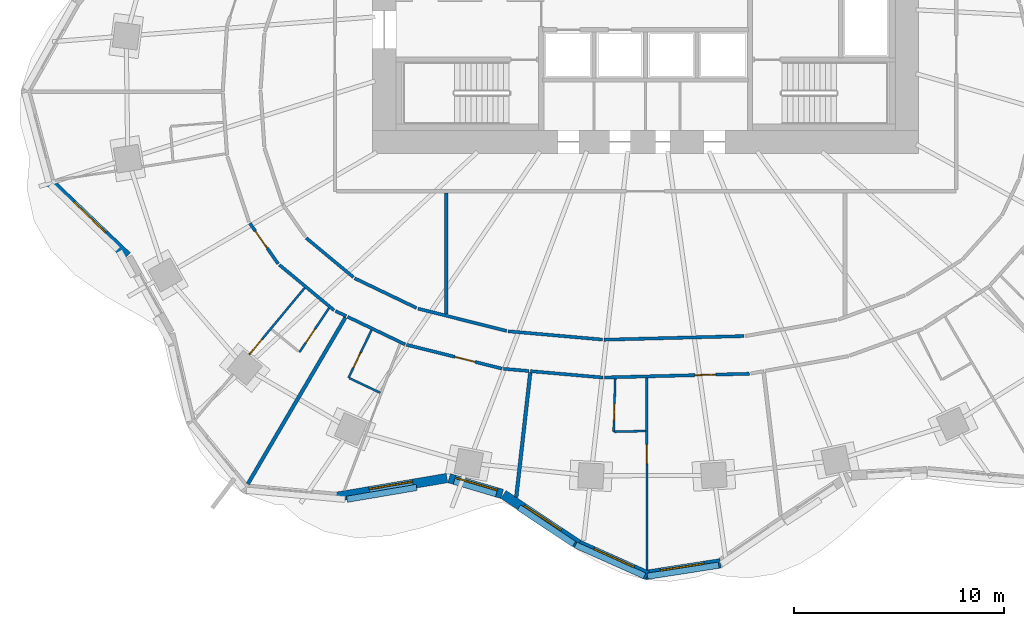
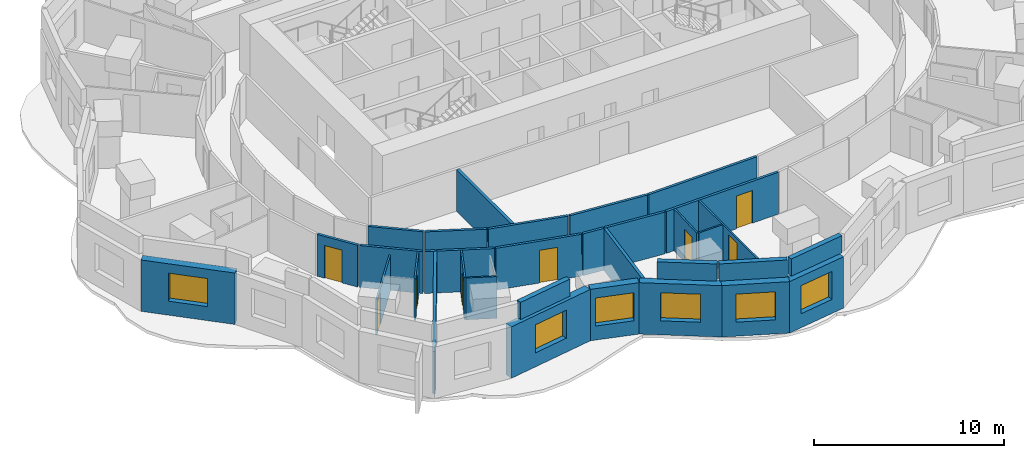
# One storey, part 4 of 12: 33 walls, 8 doors, 6 windows, 14 openings.
"""IFC4 building model written with IfcOpenShell, lengths in metres."""

from ifc_helpers import new_model, si_unit, direction, frame, frame_2d, origin, place, context, subcontext, project, spatial, rectangle, extrude, material, layer, layer_set, type_object, element, fill, save


model = new_model("IFC4")

# Units and contexts
model_context = context("Model", 3, precision=1e-05, world=origin(), true_north=direction((0.0, 1.0)))
body_context = subcontext(model_context, "Body", "Model", "MODEL_VIEW")
ifc_project = project(units=[si_unit("LENGTHUNIT", "METRE"), si_unit("AREAUNIT", "SQUARE_METRE"), si_unit("VOLUMEUNIT", "CUBIC_METRE"), si_unit("PLANEANGLEUNIT", "RADIAN"), si_unit("MASSUNIT", "GRAM", prefix="KILO")], contexts=[model_context])

# Site, building, storey
site_placement = place(None, origin())
site = spatial("IfcSite", under=ifc_project, at=site_placement, CompositionType="ELEMENT")
building_placement = place(site_placement, origin())
building = spatial("IfcBuilding", under=site, at=building_placement, Name="Rubra Terraces Tower", CompositionType="ELEMENT")
storey_placement = place(building_placement, frame((0.0, 0.0, 117.60009765625)))
storey = spatial("IfcBuildingStorey", under=building, at=storey_placement, Name="L28", CompositionType="ELEMENT", Elevation=117.60009765625)

# Walls
ifc_material_1 = material(Name="Twin plasterboard on staggered steel stud, acoustic mineral wool", Category="steel")
ifc_layer_1 = layer(ifc_material_1, 0.175048828125)
ifc_layer_set_1 = layer_set([ifc_layer_1], Name="Twin plasterboard on staggered steel stud, acoustic mineral wool")
wall_type_1 = type_object("IfcWallType", Name="ACOUSTIC PARTY WALL 175", PredefinedType="PARTITIONING", material=ifc_layer_set_1)
wall_1_placement = place(storey_placement, frame((-6.160888671875, -19.37744140625, 0.0), z_axis=(0.0, 0.0, 1.0), x_axis=(0.111916919639, 0.993717567067, 0.0)))
element("IfcWall", 1, at=wall_1_placement, inside=storey, type_object=wall_type_1, Name="PARTITION", PredefinedType="PARTITIONING", context=body_context, shape_type="SweptSolid", body=[
    extrude(rectangle(XDim=5.970703125, YDim=0.175048828125, at=frame_2d((2.9853515625, 0.0))), origin(), (0.0, 0.0, 1.0), 2.683837890625),
])
wall_2_placement = place(storey_placement, frame((-18.94873046875, -18.745361328125, 0.0), z_axis=(0.0, 0.0, 1.0), x_axis=(0.505730402321, 0.862691578821, 0.0)))
element("IfcWall", 2, at=wall_2_placement, inside=storey, type_object=wall_type_1, Name="PARTITION", PredefinedType="PARTITIONING", context=body_context, shape_type="SweptSolid", body=[
    extrude(rectangle(XDim=9.19482421875, YDim=0.175048828125, at=frame_2d((4.597412109375, 0.0))), origin(), (0.0, 0.0, 1.0), 2.683837890625),
])
wall_3_placement = place(storey_placement, frame((-9.5, -10.653564453125, 0.0), z_axis=(0.0, 0.0, 1.0), x_axis=(0.0, 1.0, 0.0)))
element("IfcWall", 3, at=wall_3_placement, inside=storey, type_object=wall_type_1, Name="PARTITION", PredefinedType="PARTITIONING", context=body_context, shape_type="SweptSolid", body=[
    extrude(rectangle(XDim=5.778564453125, YDim=0.175048828125, at=frame_2d((2.88916015625, 0.0))), origin(), (0.0, 0.0, 1.0), 2.683837890625),
])

# Wall, opening, window
ifc_material_2 = material(Name="Brick masonry red-brown", Category="masonry")
ifc_layer_2 = layer(ifc_material_2, 0.449951171875)
ifc_layer_set_2 = layer_set([ifc_layer_2], Name="Brick masonry red-brown")
wall_type_2 = type_object("IfcWallType", Name="Brick facade wall 450", PredefinedType="SOLIDWALL", material=ifc_layer_set_2)
wall_4_placement = place(storey_placement, frame((-28.38720703125, -4.362548828125, 0.0), z_axis=(0.0, 0.0, 1.0), x_axis=(0.722717697728, -0.691143349379, 0.0)))
wall_4 = element("IfcWall", 4, at=wall_4_placement, inside=storey, type_object=wall_type_2, Name="Facade wall L28 bay 22", PredefinedType="SOLIDWALL", context=body_context, shape_type="SweptSolid", body=[
    extrude(rectangle(XDim=5.103271484375, YDim=0.449951171875, at=frame_2d((2.5517578125, 0.0))), origin(), (0.0, 0.0, 1.0), 3.2998046875),
])
opening_1_placement = place(wall_4_placement, frame((1.501708984375, 0.0, 0.89990234375)))
opening_1 = element("IfcOpeningElement", 5, at=opening_1_placement, cuts=wall_4, Name="Opening W1Z", PredefinedType="OPENING", context=body_context, shape_type="SweptSolid", body=[
    extrude(rectangle(XDim=2.10009765625, YDim=1.800048828125, at=frame_2d((1.050048828125, 0.89990234375))), frame((0.0, 0.23486328125, 0.0), z_axis=(0.0, -1.0, 0.0), x_axis=(1.0, 0.0, 0.0)), (0.0, 0.0, 1.0), 0.469970703125),
])
ifc_material_3 = material(Name="Clear glass in aluminium frame", Category="aluminium")
window_type = type_object("IfcWindowType", Name="Fixed deep-set window under transfer level 2100 x 1800", PartitioningType="SINGLE_PANEL", PredefinedType="WINDOW", material=ifc_material_3)
window_1_placement = place(opening_1_placement, origin())
window_1 = element("IfcWindow", 6, at=window_1_placement, inside=storey, type_object=window_type, Name="Window L28 bay 22", OverallHeight=1.800048828125, OverallWidth=2.10009765625, PartitioningType="SINGLE_PANEL", PredefinedType="WINDOW", context=body_context, shape_type="SweptSolid", body=[
    extrude(rectangle(XDim=2.10009765625, YDim=1.800048828125, at=frame_2d((1.050048828125, 0.89990234375))), frame((0.0, 0.135009765625, 0.0), z_axis=(0.0, -1.0, 0.0), x_axis=(1.0, 0.0, 0.0)), (0.0, 0.0, 1.0), 0.06005859375),
])
fill(opening_1, window_1)

wall_5_placement = place(storey_placement, frame((-14.78173828125, -19.366943359375, 0.0), z_axis=(0.0, 0.0, 1.0), x_axis=(0.98585584667, 0.167595493934, 0.0)))
wall_5 = element("IfcWall", 7, at=wall_5_placement, inside=storey, type_object=wall_type_2, Name="Facade wall L28 bay 27", PredefinedType="SOLIDWALL", context=body_context, shape_type="SweptSolid", body=[
    extrude(rectangle(XDim=5.398681640625, YDim=0.449951171875, at=frame_2d((2.69921875, 0.0))), origin(), (0.0, 0.0, 1.0), 3.2998046875),
])
opening_2_placement = place(wall_5_placement, frame((1.6494140625, 0.0, 0.89990234375)))
opening_2 = element("IfcOpeningElement", 8, at=opening_2_placement, cuts=wall_5, Name="Opening W1Z", PredefinedType="OPENING", context=body_context, shape_type="SweptSolid", body=[
    extrude(rectangle(XDim=2.10009765625, YDim=1.800048828125, at=frame_2d((1.050048828125, 0.89990234375))), frame((0.0, 0.23486328125, 0.0), z_axis=(0.0, -1.0, 0.0), x_axis=(1.0, 0.0, 0.0)), (0.0, 0.0, 1.0), 0.469970703125),
])
window_2_placement = place(opening_2_placement, origin())
window_2 = element("IfcWindow", 9, at=window_2_placement, inside=storey, type_object=window_type, Name="Window L28 bay 27", OverallHeight=1.800048828125, OverallWidth=2.10009765625, PartitioningType="SINGLE_PANEL", PredefinedType="WINDOW", context=body_context, shape_type="SweptSolid", body=[
    extrude(rectangle(XDim=2.10009765625, YDim=1.800048828125, at=frame_2d((1.050048828125, 0.89990234375))), frame((0.0, 0.135009765625, 0.0), z_axis=(0.0, -1.0, 0.0), x_axis=(1.0, 0.0, 0.0)), (0.0, 0.0, 1.0), 0.06005859375),
])
fill(opening_2, window_2)

wall_6_placement = place(storey_placement, frame((-9.357421875, -18.468505859375, 0.0), z_axis=(0.0, 0.0, 1.0), x_axis=(0.958524054629, -0.285011643091, 0.0)))
wall_6 = element("IfcWall", 10, at=wall_6_placement, inside=storey, type_object=wall_type_2, Name="Facade wall L28 bay 28", PredefinedType="SOLIDWALL", context=body_context, shape_type="SweptSolid", body=[
    extrude(rectangle(XDim=2.637451171875, YDim=0.449951171875, at=frame_2d((1.31884765625, 0.0))), origin(), (0.0, 0.0, 1.0), 3.2998046875),
])
opening_3_placement = place(wall_6_placement, frame((0.268798828125, 0.0, 0.89990234375)))
opening_3 = element("IfcOpeningElement", 11, at=opening_3_placement, cuts=wall_6, Name="Opening W1Z", PredefinedType="OPENING", context=body_context, shape_type="SweptSolid", body=[
    extrude(rectangle(XDim=2.10009765625, YDim=1.800048828125, at=frame_2d((1.050048828125, 0.89990234375))), frame((0.0, 0.23486328125, 0.0), z_axis=(0.0, -1.0, 0.0), x_axis=(1.0, 0.0, 0.0)), (0.0, 0.0, 1.0), 0.469970703125),
])
window_3_placement = place(opening_3_placement, origin())
window_3 = element("IfcWindow", 12, at=window_3_placement, inside=storey, type_object=window_type, Name="Window L28 bay 28", OverallHeight=1.800048828125, OverallWidth=2.10009765625, PartitioningType="SINGLE_PANEL", PredefinedType="WINDOW", context=body_context, shape_type="SweptSolid", body=[
    extrude(rectangle(XDim=2.10009765625, YDim=1.800048828125, at=frame_2d((1.050048828125, 0.89990234375))), frame((0.0, 0.135009765625, 0.0), z_axis=(0.0, -1.0, 0.0), x_axis=(1.0, 0.0, 0.0)), (0.0, 0.0, 1.0), 0.06005859375),
])
fill(opening_3, window_3)

wall_7_placement = place(storey_placement, frame((-6.76904296875, -19.248291015625, 0.0), z_axis=(0.0, 0.0, 1.0), x_axis=(0.832973379274, -0.553313066375, 0.0)))
wall_7 = element("IfcWall", 13, at=wall_7_placement, inside=storey, type_object=wall_type_2, Name="Facade wall L28 bay 29", PredefinedType="SOLIDWALL", context=body_context, shape_type="SweptSolid", body=[
    extrude(rectangle(XDim=4.348388671875, YDim=0.449951171875, at=frame_2d((2.17431640625, 0.0))), origin(), (0.0, 0.0, 1.0), 3.2998046875),
])
opening_4_placement = place(wall_7_placement, frame((1.1240234375, 0.0, 0.89990234375)))
opening_4 = element("IfcOpeningElement", 14, at=opening_4_placement, cuts=wall_7, Name="Opening W1Z", PredefinedType="OPENING", context=body_context, shape_type="SweptSolid", body=[
    extrude(rectangle(XDim=2.10009765625, YDim=1.800048828125, at=frame_2d((1.050048828125, 0.89990234375))), frame((0.0, 0.23486328125, 0.0), z_axis=(0.0, -1.0, 0.0), x_axis=(1.0, 0.0, 0.0)), (0.0, 0.0, 1.0), 0.469970703125),
])
window_4_placement = place(opening_4_placement, origin())
window_4 = element("IfcWindow", 15, at=window_4_placement, inside=storey, type_object=window_type, Name="Window L28 bay 29", OverallHeight=1.800048828125, OverallWidth=2.10009765625, PartitioningType="SINGLE_PANEL", PredefinedType="WINDOW", context=body_context, shape_type="SweptSolid", body=[
    extrude(rectangle(XDim=2.10009765625, YDim=1.800048828125, at=frame_2d((1.050048828125, 0.89990234375))), frame((0.0, 0.135009765625, 0.0), z_axis=(0.0, -1.0, 0.0), x_axis=(1.0, 0.0, 0.0)), (0.0, 0.0, 1.0), 0.06005859375),
])
fill(opening_4, window_4)

wall_8_placement = place(storey_placement, frame((-3.179443359375, -21.63623046875, 0.0), z_axis=(0.0, 0.0, 1.0), x_axis=(0.912608353595, -0.40883492139, 0.0)))
wall_8 = element("IfcWall", 16, at=wall_8_placement, inside=storey, type_object=wall_type_2, Name="Facade wall L28 bay 30", PredefinedType="SOLIDWALL", context=body_context, shape_type="SweptSolid", body=[
    extrude(rectangle(XDim=3.584716796875, YDim=0.449951171875, at=frame_2d((1.79248046875, 0.0))), origin(), (0.0, 0.0, 1.0), 3.2998046875),
])
opening_5_placement = place(wall_8_placement, frame((0.7421875, 0.0, 0.89990234375)))
opening_5 = element("IfcOpeningElement", 17, at=opening_5_placement, cuts=wall_8, Name="Opening W1Z", PredefinedType="OPENING", context=body_context, shape_type="SweptSolid", body=[
    extrude(rectangle(XDim=2.10009765625, YDim=1.800048828125, at=frame_2d((1.050048828125, 0.89990234375))), frame((0.0, 0.23486328125, 0.0), z_axis=(0.0, -1.0, 0.0), x_axis=(1.0, 0.0, 0.0)), (0.0, 0.0, 1.0), 0.469970703125),
])
window_5_placement = place(opening_5_placement, origin())
window_5 = element("IfcWindow", 18, at=window_5_placement, inside=storey, type_object=window_type, Name="Window L28 bay 30", OverallHeight=1.800048828125, OverallWidth=2.10009765625, PartitioningType="SINGLE_PANEL", PredefinedType="WINDOW", context=body_context, shape_type="SweptSolid", body=[
    extrude(rectangle(XDim=2.10009765625, YDim=1.800048828125, at=frame_2d((1.050048828125, 0.89990234375))), frame((0.0, 0.135009765625, 0.0), z_axis=(0.0, -1.0, 0.0), x_axis=(1.0, 0.0, 0.0)), (0.0, 0.0, 1.0), 0.06005859375),
])
fill(opening_5, window_5)

wall_9_placement = place(storey_placement, frame((-0.03466796875, -23.084716796875, 0.0), z_axis=(0.0, 0.0, 1.0), x_axis=(0.988133637562, 0.153596596054, 0.0)))
wall_9 = element("IfcWall", 19, at=wall_9_placement, inside=storey, type_object=wall_type_2, Name="Facade wall L28 bay 31", PredefinedType="SOLIDWALL", context=body_context, shape_type="SweptSolid", body=[
    extrude(rectangle(XDim=3.646240234375, YDim=0.449951171875, at=frame_2d((1.8232421875, 0.0))), origin(), (0.0, 0.0, 1.0), 3.2998046875),
])
opening_6_placement = place(wall_9_placement, frame((0.773193359375, 0.0, 0.89990234375)))
opening_6 = element("IfcOpeningElement", 20, at=opening_6_placement, cuts=wall_9, Name="Opening W1Z", PredefinedType="OPENING", context=body_context, shape_type="SweptSolid", body=[
    extrude(rectangle(XDim=2.10009765625, YDim=1.800048828125, at=frame_2d((1.050048828125, 0.89990234375))), frame((0.0, 0.23486328125, 0.0), z_axis=(0.0, -1.0, 0.0), x_axis=(1.0, 0.0, 0.0)), (0.0, 0.0, 1.0), 0.469970703125),
])
window_6_placement = place(opening_6_placement, origin())
window_6 = element("IfcWindow", 21, at=window_6_placement, inside=storey, type_object=window_type, Name="Window L28 bay 31", OverallHeight=1.800048828125, OverallWidth=2.10009765625, PartitioningType="SINGLE_PANEL", PredefinedType="WINDOW", context=body_context, shape_type="SweptSolid", body=[
    extrude(rectangle(XDim=2.10009765625, YDim=1.800048828125, at=frame_2d((1.050048828125, 0.89990234375))), frame((0.0, 0.135009765625, 0.0), z_axis=(0.0, -1.0, 0.0), x_axis=(1.0, 0.0, 0.0)), (0.0, 0.0, 1.0), 0.06005859375),
])
fill(opening_6, window_6)

# Walls
ifc_layer_3 = layer(ifc_material_2, 0.300048828125)
ifc_layer_set_3 = layer_set([ifc_layer_3], Name="Brick masonry red-brown")
wall_type_3 = type_object("IfcWallType", Name="Brick parapet 300", PredefinedType="PARAPET", material=ifc_layer_set_3)
wall_10_placement = place(storey_placement, frame((-14.220947265625, -19.473388671875, 3.599853515625), z_axis=(0.0, 0.0, 1.0), x_axis=(0.985863279186, 0.167551767381, 0.0)))
element("IfcWall", 22, at=wall_10_placement, inside=storey, type_object=wall_type_3, Name="Parapet L28 bay 27", PredefinedType="PARAPET", context=body_context, shape_type="SweptSolid", body=[
    extrude(rectangle(XDim=3.364501953125, YDim=0.300048828125, at=frame_2d((1.68212890625, 0.0))), origin(), (0.0, 0.0, 1.0), 1.10009765625),
])
wall_11_placement = place(storey_placement, frame((-6.03662109375, -19.86279296875, 3.599853515625), z_axis=(0.0, 0.0, 1.0), x_axis=(0.832989992548, -0.553288055459, 0.0)))
element("IfcWall", 23, at=wall_11_placement, inside=storey, type_object=wall_type_3, Name="Parapet L28 bay 29", PredefinedType="PARAPET", context=body_context, shape_type="SweptSolid", body=[
    extrude(rectangle(XDim=3.153564453125, YDim=0.300048828125, at=frame_2d((1.57666015625, 0.0))), origin(), (0.0, 0.0, 1.0), 1.10009765625),
])
wall_12_placement = place(storey_placement, frame((-3.335693359375, -21.6484375, 3.599853515625), z_axis=(0.0, 0.0, 1.0), x_axis=(0.912617427268, -0.40881466638, 0.0)))
element("IfcWall", 24, at=wall_12_placement, inside=storey, type_object=wall_type_3, Name="Parapet L28 bay 30", PredefinedType="PARAPET", context=body_context, shape_type="SweptSolid", body=[
    extrude(rectangle(XDim=3.603515625, YDim=0.300048828125, at=frame_2d((1.8017578125, 0.0))), origin(), (0.0, 0.0, 1.0), 1.10009765625),
])
wall_13_placement = place(storey_placement, frame((0.09423828125, -23.140380859375, 3.599853515625), z_axis=(0.0, 0.0, 1.0), x_axis=(0.988150084887, 0.153490748056, 0.0)))
element("IfcWall", 25, at=wall_13_placement, inside=storey, type_object=wall_type_3, Name="Parapet L28 bay 31", PredefinedType="PARAPET", context=body_context, shape_type="SweptSolid", body=[
    extrude(rectangle(XDim=3.42919921875, YDim=0.300048828125, at=frame_2d((1.714599609375, 0.0))), origin(), (0.0, 0.0, 1.0), 1.10009765625),
])
ifc_material_4 = material(Name="Plasterboard on steel stud, mineral wool infill", Category="steel")
ifc_layer_4 = layer(ifc_material_4, 0.14990234375)
ifc_layer_set_4 = layer_set([ifc_layer_4], Name="Plasterboard on steel stud, mineral wool infill")
wall_type_4 = type_object("IfcWallType", Name="CORRIDOR PARTITION 150", PredefinedType="PARTITIONING", material=ifc_layer_set_4)
wall_14_placement = place(storey_placement, frame((-5.484375, -13.369873046875, 0.0), z_axis=(0.0, 0.0, 1.0), x_axis=(0.996140545205, -0.087772513919, 0.0)))
element("IfcWall", 26, at=wall_14_placement, inside=storey, type_object=wall_type_4, Name="PARTITION", PredefinedType="PARTITIONING", context=body_context, shape_type="SweptSolid", body=[
    extrude(rectangle(XDim=3.4658203125, YDim=0.14990234375, at=frame_2d((1.73291015625, 0.0))), origin(), (0.0, 0.0, 1.0), 2.683837890625),
])

# Wall, opening, door
wall_15_placement = place(storey_placement, frame((-1.95703125, -13.672119140625, 0.0), z_axis=(0.0, 0.0, 1.0), x_axis=(0.99966456087, 0.025899145557, 0.0)))
wall_15 = element("IfcWall", 27, at=wall_15_placement, inside=storey, type_object=wall_type_4, Name="PARTITION", PredefinedType="PARTITIONING", context=body_context, shape_type="SweptSolid", body=[
    extrude(rectangle(XDim=6.900146484375, YDim=0.14990234375, at=frame_2d((3.4501953125, 0.0))), origin(), (0.0, 0.0, 1.0), 2.683837890625),
])
opening_7_placement = place(wall_15_placement, frame((4.303955078125, 0.0, 0.0)))
opening_7 = element("IfcOpeningElement", 28, at=opening_7_placement, cuts=wall_15, Name="Opening 28-103", PredefinedType="OPENING", context=body_context, shape_type="SweptSolid", body=[
    extrude(rectangle(XDim=1.0, YDim=2.10009765625, at=frame_2d((0.5, 1.050048828125))), frame((0.0, 0.0849609375, 0.0), z_axis=(0.0, -1.0, 0.0), x_axis=(1.0, 0.0, 0.0)), (0.0, 0.0, 1.0), 0.169921875),
])
ifc_material_5 = material(Name="Painted timber door leaf", Category="wood")
door_type_1 = type_object("IfcDoorType", Name="ROOM DOOR 1000 X 2100", OperationType="SINGLE_SWING_LEFT", PredefinedType="DOOR", material=ifc_material_5)
door_1_placement = place(opening_7_placement, origin())
door_1 = element("IfcDoor", 29, at=door_1_placement, inside=storey, type_object=door_type_1, Name="DOOR 28-103", OperationType="SINGLE_SWING_RIGHT", OverallHeight=2.10009765625, OverallWidth=1.0, PredefinedType="DOOR", context=body_context, shape_type="SweptSolid", body=[
    extrude(rectangle(XDim=1.0, YDim=2.10009765625, at=frame_2d((0.5, 1.050048828125))), frame((0.0, 0.02490234375, 0.0), z_axis=(0.0, -1.0, 0.0), x_axis=(1.0, 0.0, 0.0)), (0.0, 0.0, 1.0), 0.050048828125),
])
fill(opening_7, door_1)

wall_16_placement = place(storey_placement, frame((-18.85107421875, -6.324951171875, 0.0), z_axis=(0.0, 0.0, 1.0), x_axis=(0.572090775968, -0.820190309656, 0.0)))
wall_16 = element("IfcWall", 30, at=wall_16_placement, inside=storey, type_object=wall_type_4, Name="PARTITION", PredefinedType="PARTITIONING", context=body_context, shape_type="SweptSolid", body=[
    extrude(rectangle(XDim=2.354736328125, YDim=0.14990234375, at=frame_2d((1.17724609375, 0.0))), origin(), (0.0, 0.0, 1.0), 2.683837890625),
])
opening_8_placement = place(wall_16_placement, frame((0.449951171875, 0.0, 0.0)))
opening_8 = element("IfcOpeningElement", 31, at=opening_8_placement, cuts=wall_16, Name="Opening 28-130", PredefinedType="OPENING", context=body_context, shape_type="SweptSolid", body=[
    extrude(rectangle(XDim=1.0, YDim=2.10009765625, at=frame_2d((0.5, 1.050048828125))), frame((0.0, 0.0849609375, 0.0), z_axis=(0.0, -1.0, 0.0), x_axis=(1.0, 0.0, 0.0)), (0.0, 0.0, 1.0), 0.169921875),
])
door_2_placement = place(opening_8_placement, origin())
door_2 = element("IfcDoor", 32, at=door_2_placement, inside=storey, type_object=door_type_1, Name="DOOR 28-130", OperationType="SINGLE_SWING_RIGHT", OverallHeight=2.10009765625, OverallWidth=1.0, PredefinedType="DOOR", context=body_context, shape_type="SweptSolid", body=[
    extrude(rectangle(XDim=1.0, YDim=2.10009765625, at=frame_2d((0.5, 1.050048828125))), frame((0.0, 0.02490234375, 0.0), z_axis=(0.0, -1.0, 0.0), x_axis=(1.0, 0.0, 0.0)), (0.0, 0.0, 1.0), 0.050048828125),
])
fill(opening_8, door_2)

# Walls
wall_17_placement = place(storey_placement, frame((-17.4462890625, -8.30419921875, 0.0), z_axis=(0.0, 0.0, 1.0), x_axis=(0.769200174495, -0.639007896318, 0.0)))
element("IfcWall", 33, at=wall_17_placement, inside=storey, type_object=wall_type_4, Name="PARTITION", PredefinedType="PARTITIONING", context=body_context, shape_type="SweptSolid", body=[
    extrude(rectangle(XDim=3.390380859375, YDim=0.14990234375, at=frame_2d((1.6953125, 0.0))), origin(), (0.0, 0.0, 1.0), 2.683837890625),
])
wall_18_placement = place(storey_placement, frame((-14.77099609375, -10.50341796875, 0.0), z_axis=(0.0, 0.0, 1.0), x_axis=(0.901637414301, -0.432492743445, 0.0)))
element("IfcWall", 34, at=wall_18_placement, inside=storey, type_object=wall_type_4, Name="PARTITION", PredefinedType="PARTITIONING", context=body_context, shape_type="SweptSolid", body=[
    extrude(rectangle(XDim=0.566162109375, YDim=0.14990234375, at=frame_2d((0.283203125, 0.0))), origin(), (0.0, 0.0, 1.0), 2.683837890625),
])
wall_19_placement = place(storey_placement, frame((-14.193115234375, -10.78076171875, 0.0), z_axis=(0.0, 0.0, 1.0), x_axis=(0.901494156461, -0.432791272863, 0.0)))
element("IfcWall", 35, at=wall_19_placement, inside=storey, type_object=wall_type_4, Name="PARTITION", PredefinedType="PARTITIONING", context=body_context, shape_type="SweptSolid", body=[
    extrude(rectangle(XDim=3.031982421875, YDim=0.14990234375, at=frame_2d((1.51611328125, 0.0))), origin(), (0.0, 0.0, 1.0), 2.683837890625),
])

# Wall, opening, door
wall_20_placement = place(storey_placement, frame((-11.386962890625, -12.111328125, 0.0), z_axis=(0.0, 0.0, 1.0), x_axis=(0.96999205549, -0.243136612393, 0.0)))
wall_20 = element("IfcWall", 36, at=wall_20_placement, inside=storey, type_object=wall_type_4, Name="PARTITION", PredefinedType="PARTITIONING", context=body_context, shape_type="SweptSolid", body=[
    extrude(rectangle(XDim=4.683349609375, YDim=0.14990234375, at=frame_2d((2.341796875, 0.0))), origin(), (0.0, 0.0, 1.0), 2.683837890625),
])
opening_9_placement = place(wall_20_placement, frame((2.37109375, 0.0, 0.0)))
opening_9 = element("IfcOpeningElement", 37, at=opening_9_placement, cuts=wall_20, Name="Opening 28-133", PredefinedType="OPENING", context=body_context, shape_type="SweptSolid", body=[
    extrude(rectangle(XDim=1.0, YDim=2.10009765625, at=frame_2d((0.5, 1.050048828125))), frame((0.0, 0.0849609375, 0.0), z_axis=(0.0, -1.0, 0.0), x_axis=(1.0, 0.0, 0.0)), (0.0, 0.0, 1.0), 0.169921875),
])
door_3_placement = place(opening_9_placement, origin())
door_3 = element("IfcDoor", 38, at=door_3_placement, inside=storey, type_object=door_type_1, Name="DOOR 28-133", OperationType="SINGLE_SWING_RIGHT", OverallHeight=2.10009765625, OverallWidth=1.0, PredefinedType="DOOR", context=body_context, shape_type="SweptSolid", body=[
    extrude(rectangle(XDim=1.0, YDim=2.10009765625, at=frame_2d((0.5, 1.050048828125))), frame((0.0, 0.02490234375, 0.0), z_axis=(0.0, -1.0, 0.0), x_axis=(1.0, 0.0, 0.0)), (0.0, 0.0, 1.0), 0.050048828125),
])
fill(opening_9, door_3)

# Walls
wall_21_placement = place(storey_placement, frame((-6.76953125, -13.256591796875, 0.0), z_axis=(0.0, 0.0, 1.0), x_axis=(0.996138123663, -0.08779999194, 0.0)))
element("IfcWall", 39, at=wall_21_placement, inside=storey, type_object=wall_type_4, Name="PARTITION", PredefinedType="PARTITIONING", context=body_context, shape_type="SweptSolid", body=[
    extrude(rectangle(XDim=1.215087890625, YDim=0.14990234375, at=frame_2d((0.607421875, 0.0))), origin(), (0.0, 0.0, 1.0), 2.683837890625),
])
wall_22_placement = place(storey_placement, frame((4.684326171875, -11.69921875, 0.0), z_axis=(0.0, 0.0, 1.0), x_axis=(-0.999663438204, -0.025942442425, 0.0)))
element("IfcWall", 40, at=wall_22_placement, inside=storey, type_object=wall_type_4, Name="PARTITION", PredefinedType="PARTITIONING", context=body_context, shape_type="SweptSolid", body=[
    extrude(rectangle(XDim=6.662841796875, YDim=0.14990234375, at=frame_2d((3.33154296875, 0.0))), origin(), (0.0, 0.0, 1.0), 2.683837890625),
])
wall_23_placement = place(storey_placement, frame((-2.05078125, -11.865478515625, 0.0), z_axis=(0.0, 0.0, 1.0), x_axis=(-0.996139599493, 0.087783246245, 0.0)))
element("IfcWall", 41, at=wall_23_placement, inside=storey, type_object=wall_type_4, Name="PARTITION", PredefinedType="PARTITIONING", context=body_context, shape_type="SweptSolid", body=[
    extrude(rectangle(XDim=4.510986328125, YDim=0.14990234375, at=frame_2d((2.25537109375, 0.0))), origin(), (0.0, 0.0, 1.0), 2.683837890625),
])
wall_24_placement = place(storey_placement, frame((-6.6171875, -11.451416015625, 0.0), z_axis=(0.0, 0.0, 1.0), x_axis=(-0.969987441267, 0.243155020069, 0.0)))
element("IfcWall", 42, at=wall_24_placement, inside=storey, type_object=wall_type_4, Name="PARTITION", PredefinedType="PARTITIONING", context=body_context, shape_type="SweptSolid", body=[
    extrude(rectangle(XDim=4.358642578125, YDim=0.14990234375, at=frame_2d((2.17919921875, 0.0))), origin(), (0.0, 0.0, 1.0), 2.683837890625),
])
wall_25_placement = place(storey_placement, frame((-10.91259765625, -10.35888671875, 0.0), z_axis=(0.0, 0.0, 1.0), x_axis=(-0.90149741277, 0.432784489982, 0.0)))
element("IfcWall", 43, at=wall_25_placement, inside=storey, type_object=wall_type_4, Name="PARTITION", PredefinedType="PARTITIONING", context=body_context, shape_type="SweptSolid", body=[
    extrude(rectangle(XDim=3.2685546875, YDim=0.14990234375, at=frame_2d((1.63427734375, 0.0))), origin(), (0.0, 0.0, 1.0), 2.683837890625),
])
wall_26_placement = place(storey_placement, frame((-13.916748046875, -8.896484375, 0.0), z_axis=(0.0, 0.0, 1.0), x_axis=(-0.769130409479, 0.639091866021, 0.0)))
element("IfcWall", 44, at=wall_26_placement, inside=storey, type_object=wall_type_4, Name="PARTITION", PredefinedType="PARTITIONING", context=body_context, shape_type="SweptSolid", body=[
    extrude(rectangle(XDim=2.925048828125, YDim=0.14990234375, at=frame_2d((1.46240234375, 0.0))), origin(), (0.0, 0.0, 1.0), 2.683837890625),
])

# Wall, opening, door
ifc_material_6 = material(Name="Plasterboard on steel stud", Category="steel")
ifc_layer_5 = layer(ifc_material_6, 0.10009765625)
ifc_layer_set_5 = layer_set([ifc_layer_5], Name="Plasterboard on steel stud")
wall_type_5 = type_object("IfcWallType", Name="ROOM PARTITION 100", PredefinedType="PARTITIONING", material=ifc_layer_set_5)
wall_27_placement = place(storey_placement, frame((0.0625, -22.83740234375, 0.0), z_axis=(0.0, 0.0, 1.0), x_axis=(-0.000614184887, 0.999999811388, 0.0)))
wall_27 = element("IfcWall", 45, at=wall_27_placement, inside=storey, type_object=wall_type_5, Name="PARTITION", PredefinedType="PARTITIONING", context=body_context, shape_type="SweptSolid", body=[
    extrude(rectangle(XDim=9.142578125, YDim=0.10009765625, at=frame_2d((4.5712890625, 0.0))), origin(), (0.0, 0.0, 1.0), 2.683837890625),
])
opening_10_placement = place(wall_27_placement, frame((5.068115234375, 0.0, 0.0)))
opening_10 = element("IfcOpeningElement", 46, at=opening_10_placement, cuts=wall_27, Name="Opening 28-102", PredefinedType="OPENING", context=body_context, shape_type="SweptSolid", body=[
    extrude(rectangle(XDim=0.89990234375, YDim=2.39990234375, at=frame_2d((0.449951171875, 1.199951171875))), frame((0.0, 0.06005859375, 0.0), z_axis=(0.0, -1.0, 0.0), x_axis=(1.0, 0.0, 0.0)), (0.0, 0.0, 1.0), 0.1201171875),
])
ifc_material_7 = material(Name="Veneered timber door leaf, fire-rated", Category="wood")
door_type_2 = type_object("IfcDoorType", Name="SUITE ENTRANCE DOOR 900 X 2400", OperationType="SINGLE_SWING_LEFT", PredefinedType="DOOR", material=ifc_material_7)
door_4_placement = place(opening_10_placement, origin())
door_4 = element("IfcDoor", 47, at=door_4_placement, inside=storey, type_object=door_type_2, Name="DOOR 28-102", OperationType="SINGLE_SWING_LEFT", OverallHeight=2.39990234375, OverallWidth=0.89990234375, PredefinedType="DOOR", context=body_context, shape_type="SweptSolid", body=[
    extrude(rectangle(XDim=0.89990234375, YDim=2.39990234375, at=frame_2d((0.449951171875, 1.199951171875))), frame((0.0, 0.02490234375, 0.0), z_axis=(0.0, -1.0, 0.0), x_axis=(1.0, 0.0, 0.0)), (0.0, 0.0, 1.0), 0.050048828125),
])
fill(opening_10, door_4)

wall_28_placement = place(storey_placement, frame((-1.444580078125, -13.73388671875, 0.0), z_axis=(0.0, 0.0, 1.0), x_axis=(-0.029879272139, -0.999553514874, 0.0)))
wall_28 = element("IfcWall", 48, at=wall_28_placement, inside=storey, type_object=wall_type_5, Name="PARTITION", PredefinedType="PARTITIONING", context=body_context, shape_type="SweptSolid", body=[
    extrude(rectangle(XDim=2.52490234375, YDim=0.10009765625, at=frame_2d((1.262451171875, 0.0))), origin(), (0.0, 0.0, 1.0), 2.683837890625),
])
opening_11_placement = place(wall_28_placement, frame((1.199951171875, 0.0, 0.0)))
opening_11 = element("IfcOpeningElement", 49, at=opening_11_placement, cuts=wall_28, Name="Opening 28-101", PredefinedType="OPENING", context=body_context, shape_type="SweptSolid", body=[
    extrude(rectangle(XDim=0.800048828125, YDim=2.10009765625, at=frame_2d((0.39990234375, 1.050048828125))), frame((0.0, 0.06005859375, 0.0), z_axis=(0.0, -1.0, 0.0), x_axis=(1.0, 0.0, 0.0)), (0.0, 0.0, 1.0), 0.1201171875),
])
door_type_3 = type_object("IfcDoorType", Name="BATHROOM DOOR 800 X 2100", OperationType="SINGLE_SWING_LEFT", PredefinedType="DOOR", material=ifc_material_5)
door_5_placement = place(opening_11_placement, origin())
door_5 = element("IfcDoor", 50, at=door_5_placement, inside=storey, type_object=door_type_3, Name="DOOR 28-101", OperationType="SINGLE_SWING_LEFT", OverallHeight=2.10009765625, OverallWidth=0.800048828125, PredefinedType="DOOR", context=body_context, shape_type="SweptSolid", body=[
    extrude(rectangle(XDim=0.800048828125, YDim=2.10009765625, at=frame_2d((0.39990234375, 1.050048828125))), frame((0.0, 0.02490234375, 0.0), z_axis=(0.0, -1.0, 0.0), x_axis=(1.0, 0.0, 0.0)), (0.0, 0.0, 1.0), 0.050048828125),
])
fill(opening_11, door_5)

# Wall
wall_29_placement = place(storey_placement, frame((-1.47021484375, -16.25634765625, 0.0), z_axis=(0.0, 0.0, 1.0), x_axis=(0.999717514742, 0.023767429771, 0.0)))
element("IfcWall", 51, at=wall_29_placement, inside=storey, type_object=wall_type_5, Name="PARTITION", PredefinedType="PARTITIONING", context=body_context, shape_type="SweptSolid", body=[
    extrude(rectangle(XDim=1.479248046875, YDim=0.10009765625, at=frame_2d((0.73974609375, 0.0))), origin(), (0.0, 0.0, 1.0), 2.683837890625),
])

# Wall, opening, door
wall_30_placement = place(storey_placement, frame((-15.0810546875, -10.366455078125, 0.0), z_axis=(0.0, 0.0, 1.0), x_axis=(-0.557375152116, -0.830260766147, 0.0)))
wall_30 = element("IfcWall", 52, at=wall_30_placement, inside=storey, type_object=wall_type_5, Name="PARTITION", PredefinedType="PARTITIONING", context=body_context, shape_type="SweptSolid", body=[
    extrude(rectangle(XDim=2.524658203125, YDim=0.10009765625, at=frame_2d((1.26220703125, 0.0))), origin(), (0.0, 0.0, 1.0), 2.683837890625),
])
opening_12_placement = place(wall_30_placement, frame((1.199951171875, 0.0, 0.0)))
opening_12 = element("IfcOpeningElement", 53, at=opening_12_placement, cuts=wall_30, Name="Opening 28-128", PredefinedType="OPENING", context=body_context, shape_type="SweptSolid", body=[
    extrude(rectangle(XDim=0.800048828125, YDim=2.10009765625, at=frame_2d((0.39990234375, 1.050048828125))), frame((0.0, 0.06005859375, 0.0), z_axis=(0.0, -1.0, 0.0), x_axis=(1.0, 0.0, 0.0)), (0.0, 0.0, 1.0), 0.1201171875),
])
door_6_placement = place(opening_12_placement, origin())
door_6 = element("IfcDoor", 54, at=door_6_placement, inside=storey, type_object=door_type_3, Name="DOOR 28-128", OperationType="SINGLE_SWING_RIGHT", OverallHeight=2.10009765625, OverallWidth=0.800048828125, PredefinedType="DOOR", context=body_context, shape_type="SweptSolid", body=[
    extrude(rectangle(XDim=0.800048828125, YDim=2.10009765625, at=frame_2d((0.39990234375, 1.050048828125))), frame((0.0, 0.02490234375, 0.0), z_axis=(0.0, -1.0, 0.0), x_axis=(1.0, 0.0, 0.0)), (0.0, 0.0, 1.0), 0.050048828125),
])
fill(opening_12, door_6)

wall_31_placement = place(storey_placement, frame((-13.052490234375, -11.41162109375, 0.0), z_axis=(0.0, 0.0, 1.0), x_axis=(-0.435495216355, -0.900191044463, 0.0)))
wall_31 = element("IfcWall", 55, at=wall_31_placement, inside=storey, type_object=wall_type_5, Name="PARTITION", PredefinedType="PARTITIONING", context=body_context, shape_type="SweptSolid", body=[
    extrude(rectangle(XDim=2.52490234375, YDim=0.10009765625, at=frame_2d((1.262451171875, 0.0))), origin(), (0.0, 0.0, 1.0), 2.683837890625),
])
opening_13_placement = place(wall_31_placement, frame((1.199951171875, 0.0, 0.0)))
opening_13 = element("IfcOpeningElement", 56, at=opening_13_placement, cuts=wall_31, Name="Opening 28-131", PredefinedType="OPENING", context=body_context, shape_type="SweptSolid", body=[
    extrude(rectangle(XDim=0.800048828125, YDim=2.10009765625, at=frame_2d((0.39990234375, 1.050048828125))), frame((0.0, 0.06005859375, 0.0), z_axis=(0.0, -1.0, 0.0), x_axis=(1.0, 0.0, 0.0)), (0.0, 0.0, 1.0), 0.1201171875),
])
door_7_placement = place(opening_13_placement, origin())
door_7 = element("IfcDoor", 57, at=door_7_placement, inside=storey, type_object=door_type_3, Name="DOOR 28-131", OperationType="SINGLE_SWING_LEFT", OverallHeight=2.10009765625, OverallWidth=0.800048828125, PredefinedType="DOOR", context=body_context, shape_type="SweptSolid", body=[
    extrude(rectangle(XDim=0.800048828125, YDim=2.10009765625, at=frame_2d((0.39990234375, 1.050048828125))), frame((0.0, 0.02490234375, 0.0), z_axis=(0.0, -1.0, 0.0), x_axis=(1.0, 0.0, 0.0)), (0.0, 0.0, 1.0), 0.050048828125),
])
fill(opening_13, door_7)

# Wall
wall_32_placement = place(storey_placement, frame((-14.10693359375, -13.705810546875, 0.0), z_axis=(0.0, 0.0, 1.0), x_axis=(0.903774530785, -0.428008875497, 0.0)))
element("IfcWall", 58, at=wall_32_placement, inside=storey, type_object=wall_type_5, Name="PARTITION", PredefinedType="PARTITIONING", context=body_context, shape_type="SweptSolid", body=[
    extrude(rectangle(XDim=1.625732421875, YDim=0.10009765625, at=frame_2d((0.81298828125, 0.0))), origin(), (0.0, 0.0, 1.0), 2.683837890625),
])

# Wall, opening, door
ifc_layer_6 = layer(ifc_material_6, 0.10009765625)
ifc_layer_set_6 = layer_set([ifc_layer_6], Name="Plasterboard on steel stud")
wall_type_6 = type_object("IfcWallType", Name="ROOM PARTITION 100 LOW HEAD", PredefinedType="PARTITIONING", material=ifc_layer_set_6)
wall_33_placement = place(storey_placement, frame((-18.878173828125, -12.580322265625, 0.0), z_axis=(0.0, 0.0, 1.0), x_axis=(0.638746790079, 0.769417011876, 0.0)))
wall_33 = element("IfcWall", 59, at=wall_33_placement, inside=storey, type_object=wall_type_6, Name="PARTITION", PredefinedType="PARTITIONING", context=body_context, shape_type="SweptSolid", body=[
    extrude(rectangle(XDim=4.129150390625, YDim=0.10009765625, at=frame_2d((2.064453125, 0.0))), origin(), (0.0, 0.0, 1.0), 2.27978515625),
])
opening_14_placement = place(wall_33_placement, frame((0.054931640625, 0.0, 0.0)))
opening_14 = element("IfcOpeningElement", 60, at=opening_14_placement, cuts=wall_33, Name="Opening 28-129", PredefinedType="OPENING", context=body_context, shape_type="SweptSolid", body=[
    extrude(rectangle(XDim=0.89990234375, YDim=2.10009765625, at=frame_2d((0.449951171875, 1.050048828125))), frame((0.0, 0.06005859375, 0.0), z_axis=(0.0, -1.0, 0.0), x_axis=(1.0, 0.0, 0.0)), (0.0, 0.0, 1.0), 0.1201171875),
])
door_type_4 = type_object("IfcDoorType", Name="SUITE ENTRANCE DOOR 900 X 2100", OperationType="SINGLE_SWING_LEFT", PredefinedType="DOOR", material=ifc_material_7)
door_8_placement = place(opening_14_placement, origin())
door_8 = element("IfcDoor", 61, at=door_8_placement, inside=storey, type_object=door_type_4, Name="DOOR 28-129", OperationType="SINGLE_SWING_LEFT", OverallHeight=2.10009765625, OverallWidth=0.89990234375, PredefinedType="DOOR", context=body_context, shape_type="SweptSolid", body=[
    extrude(rectangle(XDim=0.89990234375, YDim=2.10009765625, at=frame_2d((0.449951171875, 1.050048828125))), frame((0.0, 0.02490234375, 0.0), z_axis=(0.0, -1.0, 0.0), x_axis=(1.0, 0.0, 0.0)), (0.0, 0.0, 1.0), 0.050048828125),
])
fill(opening_14, door_8)

save(model, "model.ifc")
